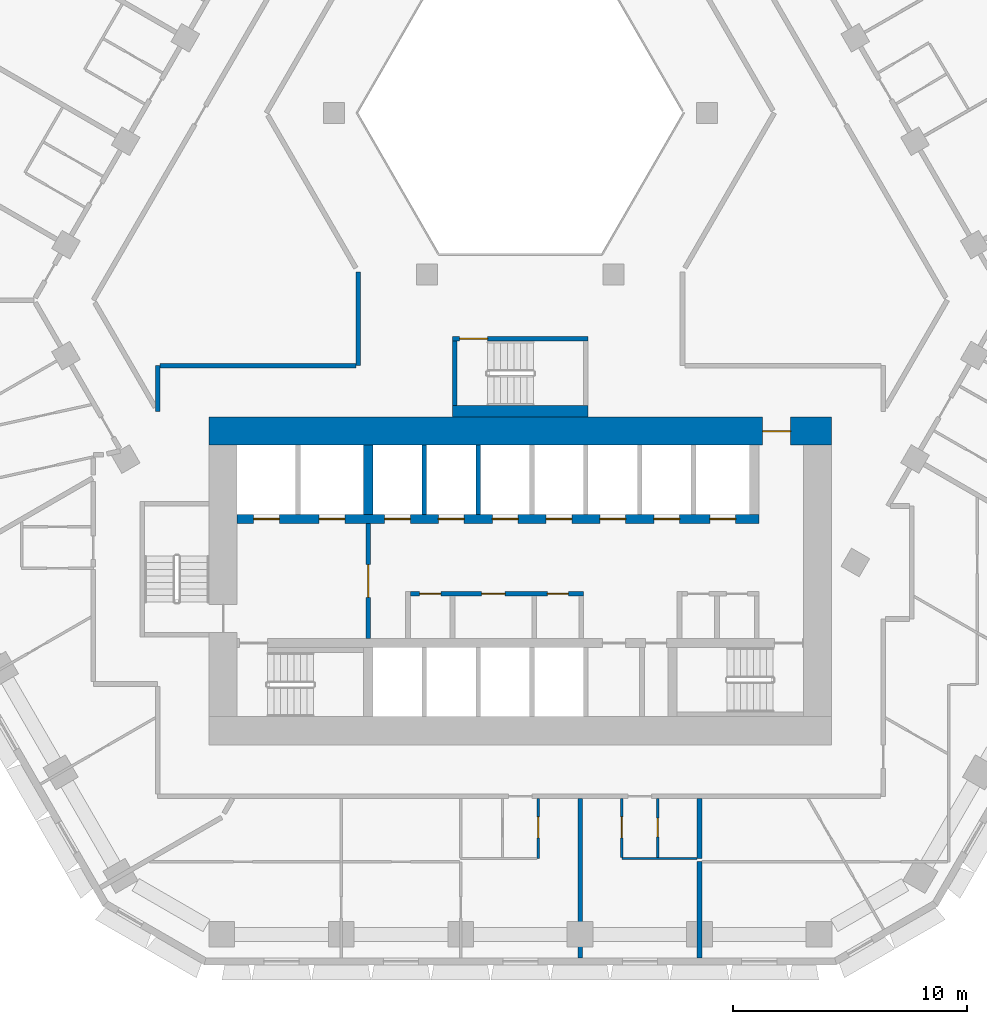
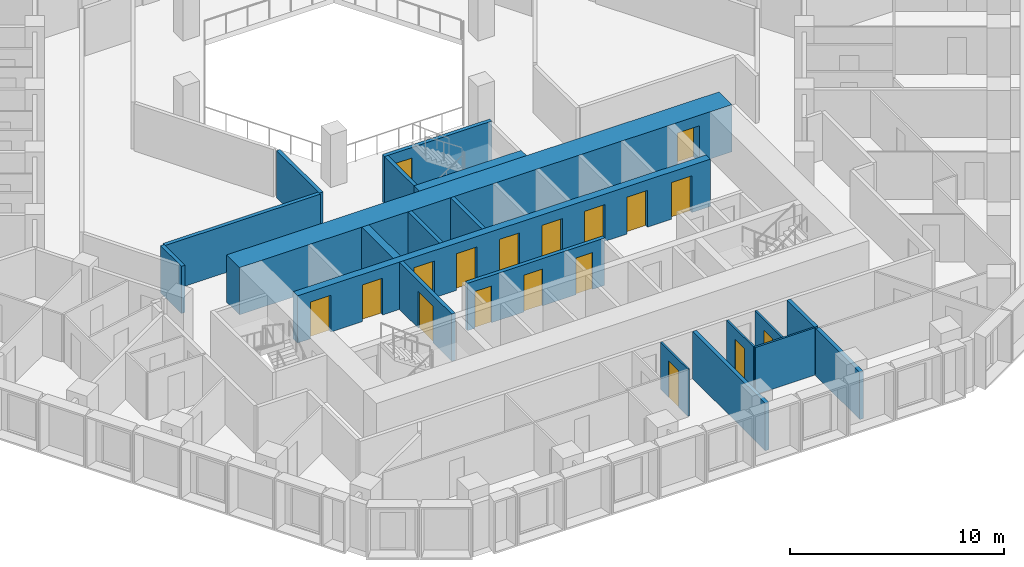
# One storey, part 5 of 16: 20 walls, 18 doors, 18 openings.
"""IFC4 building model written with IfcOpenShell, lengths in metres."""

import ifcopenshell
import ifcopenshell.guid

model = None  # the IFC model being written
_history = None  # IfcOwnerHistory: only IFC2X3 demands one
_inside = {}  # id of a spatial element -> (the spatial element, [elements in it])
_under = {}  # id of a project, library or spatial element -> (it, [spatial elements below it])
_declared = {}  # id of a project -> (the project, [libraries it declares])
_typed = {}  # id of a type object -> (the type object, [elements of that type])
_made_of = {}  # id of a material, layer set ... -> (it, [elements and type objects made of it])


def new_model(schema):
    """Start an empty IFC model of exactly this schema.

    Asked for "IFC4X3", IfcOpenShell would pick the latest addendum, in which some entities
    have other attributes; the version numbers below select the first issue.
    IFC2X3 requires an IfcOwnerHistory on every rooted entity: one is made here for all.
    """
    global model, _history
    if schema == "IFC4X3":
        model = ifcopenshell.file(schema_version=(4, 3, 0, 0))
    else:
        model = ifcopenshell.file(schema=schema)
    _inside.clear()
    _under.clear()
    _declared.clear()
    _typed.clear()
    _made_of.clear()
    _history = None
    if model.schema == "IFC2X3":
        org = make("IfcOrganization", Name="unknown")
        user = make(
            "IfcPersonAndOrganization",
            ThePerson=make("IfcPerson", FamilyName="unknown"),
            TheOrganization=org,
        )
        app = make(
            "IfcApplication",
            ApplicationDeveloper=org,
            Version="unknown",
            ApplicationFullName="unknown",
            ApplicationIdentifier="unknown",
        )
        _history = make(
            "IfcOwnerHistory",
            OwningUser=user,
            OwningApplication=app,
            ChangeAction="ADDED",
            CreationDate=0,
        )
    return model


def make(cls, **values):
    """One entity of the class cls with the attributes given. An attribute that is None is left unset."""
    return model.create_entity(
        cls, **{name: value for name, value in values.items() if value is not None}
    )


def rooted(cls, **values):
    """An entity with a GlobalId (a new one), such as an element, a storey or a relation."""
    return make(cls, GlobalId=ifcopenshell.guid.new(), OwnerHistory=_history, **values)


def si_unit(unit_type, name, prefix=None):
    """IfcSIUnit, for example si_unit("LENGTHUNIT", "METRE", prefix="MILLI")."""
    return make("IfcSIUnit", UnitType=unit_type, Prefix=prefix, Name=name)


def assignment(units):
    """IfcUnitAssignment: the units of a project."""
    return None if units is None else make("IfcUnitAssignment", Units=units)


def point(xyz):
    """IfcCartesianPoint."""
    return None if xyz is None else make("IfcCartesianPoint", Coordinates=xyz)


def direction(xyz):
    """IfcDirection."""
    return None if xyz is None else make("IfcDirection", DirectionRatios=xyz)


def frame(location, z_axis=None, x_axis=None):
    """IfcAxis2Placement3D, a coordinate frame: its origin and axes. An axis left out is left unset."""
    return make(
        "IfcAxis2Placement3D",
        Location=point(location),
        Axis=direction(z_axis),
        RefDirection=direction(x_axis),
    )


def frame_2d(location, x_axis=None):
    """IfcAxis2Placement2D, a coordinate frame in the plane: its origin and x axis."""
    return make(
        "IfcAxis2Placement2D", Location=point(location), RefDirection=direction(x_axis)
    )


def origin():
    """The frame at (0, 0, 0) with its axes left unset."""
    return frame((0.0, 0.0, 0.0))


def place(relative_to, where):
    """IfcLocalPlacement: puts the frame where relative to a parent placement (None: the world)."""
    return make(
        "IfcLocalPlacement", PlacementRelTo=relative_to, RelativePlacement=where
    )


def context(
    kind, dimensions, precision=None, world=None, true_north=None, identifier=None
):
    """IfcGeometricRepresentationContext, for example the 3D "Model" context."""
    return make(
        "IfcGeometricRepresentationContext",
        ContextIdentifier=identifier,
        ContextType=kind,
        CoordinateSpaceDimension=dimensions,
        Precision=precision,
        WorldCoordinateSystem=world,
        TrueNorth=true_north,
    )


def subcontext(parent, identifier, kind, view, scale=None):
    """IfcGeometricRepresentationSubContext, for example "Body" below "Model"."""
    return make(
        "IfcGeometricRepresentationSubContext",
        ContextIdentifier=identifier,
        ContextType=kind,
        ParentContext=parent,
        TargetScale=scale,
        TargetView=view,
    )


def project(units=None, contexts=None):
    """IfcProject with its units and contexts."""
    return rooted(
        "IfcProject",
        Name="project",
        RepresentationContexts=contexts,
        UnitsInContext=assignment(units),
    )


def spatial(cls, under=None, at=None, **own):
    """A site, building, storey or space (cls), placed at a placement, below another one or the project."""
    s = rooted(cls, ObjectPlacement=at, **own)
    if under is not None:
        _under.setdefault(under.id(), (under, []))[1].append(s)
    return s


def profile(cls, at=None, kind="AREA", **sizes):
    """A parametric profile (cls). Its sizes go by their IFC names, for example OverallWidth=200.0."""
    return make(cls, ProfileType=kind, Position=at, **sizes)


def rectangle(**sizes):
    """IfcRectangleProfileDef."""
    return profile("IfcRectangleProfileDef", **sizes)


def extrude(swept, where, along, depth):
    """IfcExtrudedAreaSolid: the profile swept, set in the frame where, extruded along a direction by depth."""
    return make(
        "IfcExtrudedAreaSolid",
        SweptArea=swept,
        Position=where,
        ExtrudedDirection=direction(along),
        Depth=depth,
    )


def shape(context_of_items, identifier, shape_type, items):
    """IfcShapeRepresentation: the items that make up one representation, for example the "Body"."""
    return make(
        "IfcShapeRepresentation",
        ContextOfItems=context_of_items,
        RepresentationIdentifier=identifier,
        RepresentationType=shape_type,
        Items=items,
    )


def material(Name=None, Category=None):
    """IfcMaterial."""
    return make("IfcMaterial", Name=Name, Category=Category)


def layer(
    of_material, thickness, ventilated=None, Name=None, Category=None, Priority=None
):
    """IfcMaterialLayer: one layer of a wall or slab, of a material (None: an air gap)."""
    return make(
        "IfcMaterialLayer",
        Material=of_material,
        LayerThickness=thickness,
        IsVentilated=ventilated,
        Name=Name,
        Category=Category,
        Priority=Priority,
    )


def layer_set(layers, Name=None):
    """IfcMaterialLayerSet."""
    return make("IfcMaterialLayerSet", MaterialLayers=layers, LayerSetName=Name)


def made_of(thing, what):
    """Note that an element or type object is made of a material, layer set ...; save() writes the relation."""
    if what is not None:
        _made_of.setdefault(what.id(), (what, []))[1].append(thing)
    return thing


def type_object(cls, material=None, **own):
    """A type object (cls), such as IfcWallType, which elements share."""
    return made_of(rooted(cls, **own), material)


def element(
    cls,
    number,
    at=None,
    inside=None,
    cuts=None,
    type_object=None,
    material=None,
    context=None,
    identifier="Body",
    shape_type=None,
    held_by="IfcProductDefinitionShape",
    body=None,
    shapes=None,
    **own,
):
    """One element of the class cls, such as IfcWall. Its Tag is "e" and its number.

    at: its placement. inside: the storey or other place that contains it. cuts: it is an
    opening in that element (IfcRelVoidsElement). A single representation is given by context,
    identifier, shape_type and body (its items); several are given by shapes. held_by: the class
    of the entity that holds the representations. save() writes the other relations.
    """
    e = rooted(cls, Tag="e%d" % number, ObjectPlacement=at, **own)
    if body is not None:
        shapes = [shape(context, identifier, shape_type, body)]
    if shapes is not None:
        e.Representation = make(held_by, Representations=shapes)
    if inside is not None:
        _inside.setdefault(inside.id(), (inside, []))[1].append(e)
    if cuts is not None:
        rooted(
            "IfcRelVoidsElement", RelatingBuildingElement=cuts, RelatedOpeningElement=e
        )
    if type_object is not None:
        _typed.setdefault(type_object.id(), (type_object, []))[1].append(e)
    return made_of(e, material)


def fill(opening, filler):
    """IfcRelFillsElement: the door or window that sits in an opening."""
    return rooted(
        "IfcRelFillsElement",
        RelatingOpeningElement=opening,
        RelatedBuildingElement=filler,
    )


def aggregate(whole, parts):
    """IfcRelAggregates: a whole, such as a stair, and the parts it consists of."""
    return rooted("IfcRelAggregates", RelatingObject=whole, RelatedObjects=parts)


def save(model, path):
    """Write the relations noted so far, then the file.

    IfcRelAggregates (storeys below a building ...), IfcRelContainedInSpatialStructure (elements
    in a storey), IfcRelDefinesByType, IfcRelAssociatesMaterial and IfcRelDeclares: one each for
    every whole, place, type object, material and project.
    """
    for whole, parts in _under.values():
        aggregate(whole, parts)
    for where, things in _inside.values():
        rooted(
            "IfcRelContainedInSpatialStructure",
            RelatedElements=things,
            RelatingStructure=where,
        )
    for kind, things in _typed.values():
        rooted("IfcRelDefinesByType", RelatedObjects=things, RelatingType=kind)
    for what, things in _made_of.values():
        rooted("IfcRelAssociatesMaterial", RelatedObjects=things, RelatingMaterial=what)
    for by, libraries in _declared.values():
        rooted("IfcRelDeclares", RelatingContext=by, RelatedDefinitions=libraries)
    model.write(path)


model = new_model("IFC4")

# Units and contexts
model_context = context("Model", 3, precision=1e-05, world=origin(), true_north=direction((0.0, 1.0)))
body_context = subcontext(model_context, "Body", "Model", "MODEL_VIEW")
ifc_project = project(units=[si_unit("LENGTHUNIT", "METRE"), si_unit("AREAUNIT", "SQUARE_METRE"), si_unit("VOLUMEUNIT", "CUBIC_METRE"), si_unit("PLANEANGLEUNIT", "RADIAN"), si_unit("MASSUNIT", "GRAM", prefix="KILO")], contexts=[model_context])

# Site, building, storey
site_placement = place(None, origin())
site = spatial("IfcSite", under=ifc_project, at=site_placement, CompositionType="ELEMENT")
building_placement = place(site_placement, origin())
building = spatial("IfcBuilding", under=site, at=building_placement, Name="Beryl Residences", CompositionType="ELEMENT")
storey_placement = place(building_placement, frame((0.0, 0.0, 32.39990234375)))
storey = spatial("IfcBuildingStorey", under=building, at=storey_placement, Name="L09", CompositionType="ELEMENT", Elevation=32.39990234375)

# Wall, opening, door
ifc_material_1 = material(Name="Gypsum board partition on steel studs", Category="steel")
ifc_layer_1 = layer(ifc_material_1, 0.10009765625)
ifc_layer_set_1 = layer_set([ifc_layer_1], Name="PT1 partition 100 mm gypsum board on steel studs")
wall_type_1 = type_object("IfcWallType", Name="PT1 partition 100 mm gypsum board on steel studs", PredefinedType="PARTITIONING", material=ifc_layer_set_1)
wall_1_placement = place(storey_placement, frame((4.339111328125, -21.300048828125, 0.0), z_axis=(0.0, 0.0, 1.0), x_axis=(0.0, -1.0, 0.0)))
wall_1 = element("IfcWall", 1, at=wall_1_placement, inside=storey, type_object=wall_type_1, Name="Wall PT1 L09 012", PredefinedType="PARTITIONING", context=body_context, shape_type="SweptSolid", body=[
    extrude(rectangle(XDim=2.509033203125, YDim=0.10009765625, at=frame_2d((1.25439453125, 0.0))), origin(), (0.0, 0.0, 1.0), 2.7001953125),
])
opening_1_placement = place(wall_1_placement, frame((0.780029296875, 0.0, 0.0)))
opening_1 = element("IfcOpeningElement", 2, at=opening_1_placement, cuts=wall_1, Name="Opening D0432", PredefinedType="OPENING", context=body_context, shape_type="SweptSolid", body=[
    extrude(rectangle(XDim=0.89990234375, YDim=2.10009765625, at=frame_2d((0.449951171875, 1.050048828125))), frame((0.0, 0.06005859375, 0.0), z_axis=(0.0, -1.0, 0.0), x_axis=(1.0, 0.0, 0.0)), (0.0, 0.0, 1.0), 0.1201171875),
])
ifc_material_2 = material(Name="Timber door leaf", Category="wood")
door_type_1 = type_object("IfcDoorType", Name="D2 room door 900 x 2100 mm", OperationType="SINGLE_SWING_LEFT", PredefinedType="DOOR", material=ifc_material_2)
door_1_placement = place(opening_1_placement, origin())
door_1 = element("IfcDoor", 3, at=door_1_placement, inside=storey, type_object=door_type_1, Name="Door D0432 L09 001", OperationType="SINGLE_SWING_RIGHT", OverallHeight=2.10009765625, OverallWidth=0.89990234375, PredefinedType="DOOR", context=body_context, shape_type="SweptSolid", body=[
    extrude(rectangle(XDim=0.89990234375, YDim=2.10009765625, at=frame_2d((0.449951171875, 1.050048828125))), frame((0.0, 0.02490234375, 0.0), z_axis=(0.0, -1.0, 0.0), x_axis=(1.0, 0.0, 0.0)), (0.0, 0.0, 1.0), 0.050048828125),
])
fill(opening_1, door_1)

# Wall
wall_2_placement = place(storey_placement, frame((4.340087890625, -23.860107421875, 0.0), z_axis=(0.0, 0.0, 1.0), x_axis=(1.0, 0.0, 0.0)))
element("IfcWall", 4, at=wall_2_placement, inside=storey, type_object=wall_type_1, Name="Wall PT1 L09 031", PredefinedType="PARTITIONING", context=body_context, shape_type="SweptSolid", body=[
    extrude(rectangle(XDim=3.216796875, YDim=0.10009765625, at=frame_2d((1.6083984375, 0.0))), origin(), (0.0, 0.0, 1.0), 2.7001953125),
])

# Wall, opening, door
wall_3_placement = place(storey_placement, frame((5.87109375, -23.81005859375, 0.0), z_axis=(0.0, 0.0, 1.0), x_axis=(0.0, 1.0, 0.0)))
wall_3 = element("IfcWall", 5, at=wall_3_placement, inside=storey, type_object=wall_type_1, Name="Wall PT1 L09 044", PredefinedType="PARTITIONING", context=body_context, shape_type="SweptSolid", body=[
    extrude(rectangle(XDim=2.510009765625, YDim=0.10009765625, at=frame_2d((1.2548828125, 0.0))), origin(), (0.0, 0.0, 1.0), 2.7001953125),
])
opening_2_placement = place(wall_3_placement, frame((0.8798828125, 0.0, 0.0)))
opening_2 = element("IfcOpeningElement", 6, at=opening_2_placement, cuts=wall_3, Name="Opening D0433", PredefinedType="OPENING", context=body_context, shape_type="SweptSolid", body=[
    extrude(rectangle(XDim=0.800048828125, YDim=2.10009765625, at=frame_2d((0.39990234375, 1.050048828125))), frame((0.0, 0.06005859375, 0.0), z_axis=(0.0, -1.0, 0.0), x_axis=(1.0, 0.0, 0.0)), (0.0, 0.0, 1.0), 0.1201171875),
])
ifc_material_3 = material(Name="Timber door leaf", Category="wood")
door_type_2 = type_object("IfcDoorType", Name="D3 bathroom door 800 x 2100 mm", OperationType="SINGLE_SWING_LEFT", PredefinedType="DOOR", material=ifc_material_3)
door_2_placement = place(opening_2_placement, origin())
door_2 = element("IfcDoor", 7, at=door_2_placement, inside=storey, type_object=door_type_2, Name="Door D0433 L09 001", OperationType="SINGLE_SWING_LEFT", OverallHeight=2.10009765625, OverallWidth=0.800048828125, PredefinedType="DOOR", context=body_context, shape_type="SweptSolid", body=[
    extrude(rectangle(XDim=0.800048828125, YDim=2.10009765625, at=frame_2d((0.39990234375, 1.050048828125))), frame((0.0, 0.02490234375, 0.0), z_axis=(0.0, -1.0, 0.0), x_axis=(1.0, 0.0, 0.0)), (0.0, 0.0, 1.0), 0.050048828125),
])
fill(opening_2, door_2)

wall_4_placement = place(storey_placement, frame((0.76708984375, -23.85888671875, 0.0), z_axis=(0.0, 0.0, 1.0), x_axis=(0.0, 1.0, 0.0)))
wall_4 = element("IfcWall", 8, at=wall_4_placement, inside=storey, type_object=wall_type_1, Name="Wall PT1 L09 045", PredefinedType="PARTITIONING", context=body_context, shape_type="SweptSolid", body=[
    extrude(rectangle(XDim=2.558837890625, YDim=0.10009765625, at=frame_2d((1.279296875, 0.0))), origin(), (0.0, 0.0, 1.0), 2.7001953125),
])
opening_3_placement = place(wall_4_placement, frame((0.87890625, 0.0, 0.0)))
opening_3 = element("IfcOpeningElement", 9, at=opening_3_placement, cuts=wall_4, Name="Opening D0425", PredefinedType="OPENING", context=body_context, shape_type="SweptSolid", body=[
    extrude(rectangle(XDim=0.89990234375, YDim=2.10009765625, at=frame_2d((0.449951171875, 1.050048828125))), frame((0.0, 0.06005859375, 0.0), z_axis=(0.0, -1.0, 0.0), x_axis=(1.0, 0.0, 0.0)), (0.0, 0.0, 1.0), 0.1201171875),
])
door_3_placement = place(opening_3_placement, origin())
door_3 = element("IfcDoor", 10, at=door_3_placement, inside=storey, type_object=door_type_1, Name="Door D0425 L09 001", OperationType="SINGLE_SWING_LEFT", OverallHeight=2.10009765625, OverallWidth=0.89990234375, PredefinedType="DOOR", context=body_context, shape_type="SweptSolid", body=[
    extrude(rectangle(XDim=0.89990234375, YDim=2.10009765625, at=frame_2d((0.449951171875, 1.050048828125))), frame((0.0, 0.02490234375, 0.0), z_axis=(0.0, -1.0, 0.0), x_axis=(1.0, 0.0, 0.0)), (0.0, 0.0, 1.0), 0.050048828125),
])
fill(opening_3, door_3)

ifc_material_4 = material(Name="Concrete masonry", Category="masonry")
ifc_layer_2 = layer(ifc_material_4, 0.199951171875)
ifc_layer_set_2 = layer_set([ifc_layer_2], Name="PT13 lobby wall 200 mm")
wall_type_2 = type_object("IfcWallType", Name="PT13 lobby wall 200 mm", PredefinedType="PARTITIONING", material=ifc_layer_set_2)
wall_5_placement = place(storey_placement, frame((-6.5, -14.449951171875, 0.0), z_axis=(0.0, 0.0, 1.0), x_axis=(0.0, 1.0, 0.0)))
wall_5 = element("IfcWall", 11, at=wall_5_placement, inside=storey, type_object=wall_type_2, Name="Lobby wall 06", PredefinedType="PARTITIONING", context=body_context, shape_type="SweptSolid", body=[
    extrude(rectangle(XDim=4.89990234375, YDim=0.199951171875, at=frame_2d((2.449951171875, 0.0))), origin(), (0.0, 0.0, 1.0), 2.7001953125),
])
opening_4_placement = place(wall_5_placement, frame((3.14990234375, 0.0, 0.0), z_axis=(0.0, 0.0, 1.0), x_axis=(-1.0, 0.0, 0.0)))
opening_4 = element("IfcOpeningElement", 12, at=opening_4_placement, cuts=wall_5, Name="Opening FD-FFL", PredefinedType="OPENING", context=body_context, shape_type="SweptSolid", body=[
    extrude(rectangle(XDim=1.39990234375, YDim=2.10009765625, at=frame_2d((0.699951171875, 1.050048828125))), frame((0.0, 0.10986328125, 0.0), z_axis=(0.0, -1.0, 0.0), x_axis=(1.0, 0.0, 0.0)), (0.0, 0.0, 1.0), 0.219970703125),
])
ifc_material_5 = material(Name="Steel door leaf in steel frame", Category="steel")
door_type_3 = type_object("IfcDoorType", Name="D5 lobby door 1400 x 2100 mm", OperationType="DOUBLE_DOOR_SINGLE_SWING", PredefinedType="DOOR", material=ifc_material_5)
door_4_placement = place(opening_4_placement, origin())
door_4 = element("IfcDoor", 13, at=door_4_placement, inside=storey, type_object=door_type_3, Name="Door FD-FFL L09 001", OperationType="DOUBLE_DOOR_SINGLE_SWING", OverallHeight=2.10009765625, OverallWidth=1.39990234375, PredefinedType="DOOR", context=body_context, shape_type="SweptSolid", body=[
    extrude(rectangle(XDim=1.39990234375, YDim=2.10009765625, at=frame_2d((0.699951171875, 1.050048828125))), frame((0.0, 0.02490234375, 0.0), z_axis=(0.0, -1.0, 0.0), x_axis=(1.0, 0.0, 0.0)), (0.0, 0.0, 1.0), 0.050048828125),
])
fill(opening_4, door_4)

# Wall, openings, doors
wall_6_placement = place(storey_placement, frame((-4.699951171875, -12.550048828125, 0.0), z_axis=(0.0, 0.0, 1.0), x_axis=(1.0, 0.0, 0.0)))
wall_6 = element("IfcWall", 14, at=wall_6_placement, inside=storey, type_object=wall_type_2, Name="Lobby wall 08", PredefinedType="PARTITIONING", context=body_context, shape_type="SweptSolid", body=[
    extrude(rectangle(XDim=7.39990234375, YDim=0.199951171875, at=frame_2d((3.699951171875, 0.0))), origin(), (0.0, 0.0, 1.0), 2.7001953125),
])
opening_5_placement = place(wall_6_placement, frame((1.2998046875, 0.0, 0.0), z_axis=(0.0, 0.0, 1.0), x_axis=(-1.0, 0.0, 0.0)))
opening_5 = element("IfcOpeningElement", 15, at=opening_5_placement, cuts=wall_6, Name="Opening CD-D-A1-900", PredefinedType="OPENING", context=body_context, shape_type="SweptSolid", body=[
    extrude(rectangle(XDim=0.89990234375, YDim=2.10009765625, at=frame_2d((0.449951171875, 1.050048828125))), frame((0.0, 0.10986328125, 0.0), z_axis=(0.0, -1.0, 0.0), x_axis=(1.0, 0.0, 0.0)), (0.0, 0.0, 1.0), 0.219970703125),
])
opening_6_placement = place(wall_6_placement, frame((4.050048828125, 0.0, 0.0), z_axis=(0.0, 0.0, 1.0), x_axis=(-1.0, 0.0, 0.0)))
opening_6 = element("IfcOpeningElement", 16, at=opening_6_placement, cuts=wall_6, Name="Opening CD-D-A2", PredefinedType="OPENING", context=body_context, shape_type="SweptSolid", body=[
    extrude(rectangle(XDim=1.0, YDim=2.10009765625, at=frame_2d((0.5, 1.050048828125))), frame((0.0, 0.10986328125, 0.0), z_axis=(0.0, -1.0, 0.0), x_axis=(1.0, 0.0, 0.0)), (0.0, 0.0, 1.0), 0.219970703125),
])
opening_7_placement = place(wall_6_placement, frame((6.75, 0.0, 0.0), z_axis=(0.0, 0.0, 1.0), x_axis=(-1.0, 0.0, 0.0)))
opening_7 = element("IfcOpeningElement", 17, at=opening_7_placement, cuts=wall_6, Name="Opening CD-D-A3-900", PredefinedType="OPENING", context=body_context, shape_type="SweptSolid", body=[
    extrude(rectangle(XDim=0.89990234375, YDim=2.10009765625, at=frame_2d((0.449951171875, 1.050048828125))), frame((0.0, 0.10986328125, 0.0), z_axis=(0.0, -1.0, 0.0), x_axis=(1.0, 0.0, 0.0)), (0.0, 0.0, 1.0), 0.219970703125),
])
ifc_material_6 = material(Name="Steel door leaf in steel frame", Category="steel")
door_type_4 = type_object("IfcDoorType", Name="D18 service room door 1000 x 2100 mm", OperationType="SINGLE_SWING_LEFT", PredefinedType="DOOR", material=ifc_material_6)
door_5_placement = place(opening_6_placement, origin())
door_5 = element("IfcDoor", 18, at=door_5_placement, inside=storey, type_object=door_type_4, Name="Door CD-D-A2 L09 001", OperationType="SINGLE_SWING_LEFT", OverallHeight=2.10009765625, OverallWidth=1.0, PredefinedType="DOOR", context=body_context, shape_type="SweptSolid", body=[
    extrude(rectangle(XDim=1.0, YDim=2.10009765625, at=frame_2d((0.5, 1.050048828125))), frame((0.0, 0.02490234375, 0.0), z_axis=(0.0, -1.0, 0.0), x_axis=(1.0, 0.0, 0.0)), (0.0, 0.0, 1.0), 0.050048828125),
])
fill(opening_6, door_5)
ifc_material_7 = material(Name="Steel door leaf in steel frame", Category="steel")
door_type_5 = type_object("IfcDoorType", Name="D6 service room door 900 x 2100 mm", OperationType="SINGLE_SWING_LEFT", PredefinedType="DOOR", material=ifc_material_7)
door_6_placement = place(opening_5_placement, origin())
door_6 = element("IfcDoor", 19, at=door_6_placement, inside=storey, type_object=door_type_5, Name="Door CD-D-A1-900 L09 001", OperationType="SINGLE_SWING_RIGHT", OverallHeight=2.10009765625, OverallWidth=0.89990234375, PredefinedType="DOOR", context=body_context, shape_type="SweptSolid", body=[
    extrude(rectangle(XDim=0.89990234375, YDim=2.10009765625, at=frame_2d((0.449951171875, 1.050048828125))), frame((0.0, 0.02490234375, 0.0), z_axis=(0.0, -1.0, 0.0), x_axis=(1.0, 0.0, 0.0)), (0.0, 0.0, 1.0), 0.050048828125),
])
fill(opening_5, door_6)
door_7_placement = place(opening_7_placement, origin())
door_7 = element("IfcDoor", 20, at=door_7_placement, inside=storey, type_object=door_type_5, Name="Door CD-D-A3-900 L09 001", OperationType="SINGLE_SWING_RIGHT", OverallHeight=2.10009765625, OverallWidth=0.89990234375, PredefinedType="DOOR", context=body_context, shape_type="SweptSolid", body=[
    extrude(rectangle(XDim=0.89990234375, YDim=2.10009765625, at=frame_2d((0.449951171875, 1.050048828125))), frame((0.0, 0.02490234375, 0.0), z_axis=(0.0, -1.0, 0.0), x_axis=(1.0, 0.0, 0.0)), (0.0, 0.0, 1.0), 0.050048828125),
])
fill(opening_7, door_7)

# Walls
ifc_material_8 = material(Name="Acoustic double stud gypsum board wall")
ifc_layer_3 = layer(ifc_material_8, 0.199951171875)
ifc_layer_set_3 = layer_set([ifc_layer_3], Name="PT3 party wall 200 mm acoustic double stud")
wall_type_3 = type_object("IfcWallType", Name="PT3 party wall 200 mm acoustic double stud", PredefinedType="PARTITIONING", material=ifc_layer_set_3)
wall_7_placement = place(storey_placement, frame((2.552978515625, -21.300048828125, 0.0), z_axis=(0.0, 0.0, 1.0), x_axis=(0.0, -1.0, 0.0)))
element("IfcWall", 21, at=wall_7_placement, inside=storey, type_object=wall_type_3, Name="Wall PT3 L09 004", PredefinedType="PARTITIONING", context=body_context, shape_type="SweptSolid", body=[
    extrude(rectangle(XDim=6.800048828125, YDim=0.199951171875, at=frame_2d((3.39990234375, 0.0))), origin(), (0.0, 0.0, 1.0), 2.7001953125),
])
wall_8_placement = place(storey_placement, frame((7.656982421875, -28.10009765625, 0.0), z_axis=(0.0, 0.0, 1.0), x_axis=(0.0, 1.0, 0.0)))
element("IfcWall", 22, at=wall_8_placement, inside=storey, type_object=wall_type_3, Name="Wall PT3 L09 015", PredefinedType="PARTITIONING", context=body_context, shape_type="SweptSolid", body=[
    extrude(rectangle(XDim=4.1201171875, YDim=0.199951171875, at=frame_2d((2.06005859375, 0.0))), origin(), (0.0, 0.0, 1.0), 2.7001953125),
])
wall_9_placement = place(storey_placement, frame((7.656982421875, -23.860107421875, 0.0), z_axis=(0.0, 0.0, 1.0), x_axis=(0.0, 1.0, 0.0)))
element("IfcWall", 23, at=wall_9_placement, inside=storey, type_object=wall_type_3, Name="Wall PT3 L09 016", PredefinedType="PARTITIONING", context=body_context, shape_type="SweptSolid", body=[
    extrude(rectangle(XDim=2.56005859375, YDim=0.199951171875, at=frame_2d((1.280029296875, 0.0))), origin(), (0.0, 0.0, 1.0), 2.7001953125),
])
ifc_material_9 = material(Name="Double stud gypsum board wall")
ifc_layer_4 = layer(ifc_material_9, 0.199951171875)
ifc_layer_set_4 = layer_set([ifc_layer_4], Name="PT4 corridor wall 200 mm double stud")
wall_type_4 = type_object("IfcWallType", Name="PT4 corridor wall 200 mm double stud", PredefinedType="PARTITIONING", material=ifc_layer_set_4)
wall_10_placement = place(storey_placement, frame((-15.39990234375, -2.800048828125, 0.0), z_axis=(0.0, 0.0, 1.0), x_axis=(1.0, 0.0, 0.0)))
element("IfcWall", 24, at=wall_10_placement, inside=storey, type_object=wall_type_4, Name="Wall PT4 L09 014", PredefinedType="PARTITIONING", context=body_context, shape_type="SweptSolid", body=[
    extrude(rectangle(XDim=8.371826171875, YDim=0.199951171875, at=frame_2d((4.18603515625, 0.0))), origin(), (0.0, 0.0, 1.0), 2.7001953125),
])
wall_11_placement = place(storey_placement, frame((-6.927978515625, -2.800048828125, 0.0), z_axis=(0.0, 0.0, 1.0), x_axis=(0.0, 1.0, 0.0)))
element("IfcWall", 25, at=wall_11_placement, inside=storey, type_object=wall_type_4, Name="Wall PT4 L09 029", PredefinedType="PARTITIONING", context=body_context, shape_type="SweptSolid", body=[
    extrude(rectangle(XDim=4.0, YDim=0.199951171875, at=frame_2d((2.0, 0.0))), origin(), (0.0, 0.0, 1.0), 2.7001953125),
])
wall_12_placement = place(storey_placement, frame((-15.5, -4.75390625, 0.0), z_axis=(0.0, 0.0, 1.0), x_axis=(0.0, 1.0, 0.0)))
element("IfcWall", 26, at=wall_12_placement, inside=storey, type_object=wall_type_4, Name="Wall PT4 L09 030", PredefinedType="PARTITIONING", context=body_context, shape_type="SweptSolid", body=[
    extrude(rectangle(XDim=1.953857421875, YDim=0.199951171875, at=frame_2d((0.97705078125, 0.0))), origin(), (0.0, 0.0, 1.0), 2.7001953125),
])

# Wall, opening, door
ifc_material_10 = material(Name="Concrete C40/50", Category="concrete")
ifc_layer_5 = layer(ifc_material_10, 0.199951171875)
ifc_layer_set_5 = layer_set([ifc_layer_5], Name="PT5 stair enclosure wall 200 mm reinforced concrete C40/50")
wall_type_5 = type_object("IfcWallType", Name="PT5 stair enclosure wall 200 mm reinforced concrete C40/50", PredefinedType="SOLIDWALL", material=ifc_layer_set_5)
wall_13_placement = place(storey_placement, frame((-2.89990234375, -1.64990234375, 0.0), z_axis=(0.0, 0.0, 1.0), x_axis=(1.0, 0.0, 0.0)))
wall_13 = element("IfcWall", 27, at=wall_13_placement, inside=storey, type_object=wall_type_5, Name="Wall PT5 L09 001", PredefinedType="SOLIDWALL", context=body_context, shape_type="SweptSolid", body=[
    extrude(rectangle(XDim=5.7998046875, YDim=0.199951171875, at=frame_2d((2.89990234375, 0.0))), origin(), (0.0, 0.0, 1.0), 2.7001953125),
])
opening_8_placement = place(wall_13_placement, frame((0.300048828125, 0.0, 0.0)))
opening_8 = element("IfcOpeningElement", 28, at=opening_8_placement, cuts=wall_13, Name="Opening DS04", PredefinedType="OPENING", context=body_context, shape_type="SweptSolid", body=[
    extrude(rectangle(XDim=1.199951171875, YDim=2.10009765625, at=frame_2d((0.60009765625, 1.050048828125))), frame((0.0, 0.10986328125, 0.0), z_axis=(0.0, -1.0, 0.0), x_axis=(1.0, 0.0, 0.0)), (0.0, 0.0, 1.0), 0.219970703125),
])
ifc_material_11 = material(Name="Steel door leaf in steel frame", Category="steel")
door_type_6 = type_object("IfcDoorType", Name="D4 stair door 1200 x 2100 mm", OperationType="SINGLE_SWING_LEFT", PredefinedType="DOOR", material=ifc_material_11)
door_8_placement = place(opening_8_placement, origin())
door_8 = element("IfcDoor", 29, at=door_8_placement, inside=storey, type_object=door_type_6, Name="Door DS04 L09 001", OperationType="SINGLE_SWING_LEFT", OverallHeight=2.10009765625, OverallWidth=1.199951171875, PredefinedType="DOOR", context=body_context, shape_type="SweptSolid", body=[
    extrude(rectangle(XDim=1.199951171875, YDim=2.10009765625, at=frame_2d((0.60009765625, 1.050048828125))), frame((0.0, 0.02490234375, 0.0), z_axis=(0.0, -1.0, 0.0), x_axis=(1.0, 0.0, 0.0)), (0.0, 0.0, 1.0), 0.050048828125),
])
fill(opening_8, door_8)

# Walls
wall_14_placement = place(storey_placement, frame((-2.800048828125, -4.5, 0.0), z_axis=(0.0, 0.0, 1.0), x_axis=(0.0, 1.0, 0.0)))
element("IfcWall", 30, at=wall_14_placement, inside=storey, type_object=wall_type_5, Name="Wall PT5 L09 002", PredefinedType="SOLIDWALL", context=body_context, shape_type="SweptSolid", body=[
    extrude(rectangle(XDim=2.75, YDim=0.199951171875, at=frame_2d((1.375, 0.0))), origin(), (0.0, 0.0, 1.0), 2.7001953125),
])
ifc_material_12 = material(Name="Concrete C40/50", Category="concrete")
ifc_layer_6 = layer(ifc_material_12, 0.5)
ifc_layer_set_6 = layer_set([ifc_layer_6], Name="PT5-500 stair enclosure wall 500 mm")
wall_type_6 = type_object("IfcWallType", Name="PT5-500 stair enclosure wall 500 mm", PredefinedType="SOLIDWALL", material=ifc_layer_set_6)
wall_15_placement = place(storey_placement, frame((-2.89990234375, -4.75, 0.0), z_axis=(0.0, 0.0, 1.0), x_axis=(1.0, 0.0, 0.0)))
element("IfcWall", 31, at=wall_15_placement, inside=storey, type_object=wall_type_6, Name="Wall PT5-500 L09 001", PredefinedType="SOLIDWALL", context=body_context, shape_type="SweptSolid", body=[
    extrude(rectangle(XDim=5.7998046875, YDim=0.5, at=frame_2d((2.89990234375, 0.0))), origin(), (0.0, 0.0, 1.0), 2.7001953125),
])
ifc_material_13 = material(Name="Concrete C40/50", Category="concrete")
ifc_layer_7 = layer(ifc_material_13, 0.199951171875)
ifc_layer_set_7 = layer_set([ifc_layer_7], Name="PT6 lift shaft wall 200 mm reinforced concrete C40/50")
wall_type_7 = type_object("IfcWallType", Name="PT6 lift shaft wall 200 mm reinforced concrete C40/50", PredefinedType="SOLIDWALL", material=ifc_layer_set_7)
for number, where, z_axis, x_axis, name in (
    (32, (-4.10009765625, -9.14990234375, 0.0), (0.0, 0.0, 1.0), (0.0, 1.0, 0.0), "Lift shaft wall 10"),
    (33, (-1.800048828125, -9.14990234375, 0.0), (0.0, 0.0, 1.0), (0.0, 1.0, 0.0), "Lift shaft wall 13"),
):
    element("IfcWall", number, at=place(storey_placement, frame(where, z_axis=z_axis, x_axis=x_axis)), inside=storey, type_object=wall_type_7, Name=name, PredefinedType="SOLIDWALL", context=body_context, shape_type="SweptSolid", body=[
        extrude(rectangle(XDim=2.949951171875, YDim=0.199951171875, at=frame_2d((1.47509765625, 0.0))), origin(), (0.0, 0.0, 1.0), 2.7001953125),
    ])

# Wall, opening, door
ifc_material_14 = material(Name="Concrete C80/95", Category="concrete")
ifc_layer_8 = layer(ifc_material_14, 1.199951171875)
ifc_layer_set_8 = layer_set([ifc_layer_8], Name="SW1 core outer wall 1200 mm C80/95")
wall_type_8 = type_object("IfcWallType", Name="SW1 core outer wall 1200 mm C80/95", PredefinedType="SHEAR", material=ifc_layer_set_8)
wall_16_placement = place(storey_placement, frame((-13.300048828125, -5.60009765625, 0.0), z_axis=(0.0, 0.0, 1.0), x_axis=(1.0, 0.0, 0.0)))
wall_16 = element("IfcWall", 34, at=wall_16_placement, inside=storey, type_object=wall_type_8, Name="Core wall N L09", PredefinedType="SHEAR", context=body_context, shape_type="SweptSolid", body=[
    extrude(rectangle(XDim=26.60009765625, YDim=1.199951171875, at=frame_2d((13.300048828125, 0.0))), origin(), (0.0, 0.0, 1.0), 2.7001953125),
])
opening_9_placement = place(wall_16_placement, frame((23.64990234375, 0.0, 0.0)))
opening_9 = element("IfcOpeningElement", 35, at=opening_9_placement, cuts=wall_16, Name="Opening FD-NORTH", PredefinedType="OPENING", context=body_context, shape_type="SweptSolid", body=[
    extrude(rectangle(XDim=1.199951171875, YDim=2.10009765625, at=frame_2d((0.60009765625, 1.050048828125))), frame((0.0, 0.60986328125, 0.0), z_axis=(0.0, -1.0, 0.0), x_axis=(1.0, 0.0, 0.0)), (0.0, 0.0, 1.0), 1.219970703125),
])
ifc_material_15 = material(Name="Steel door leaf in steel frame", Category="steel")
door_type_7 = type_object("IfcDoorType", Name="D22 lobby door 1200 x 2100 mm", OperationType="DOUBLE_DOOR_SINGLE_SWING", PredefinedType="DOOR", material=ifc_material_15)
door_9_placement = place(opening_9_placement, origin())
door_9 = element("IfcDoor", 36, at=door_9_placement, inside=storey, type_object=door_type_7, Name="Door FD-NORTH L09 001", OperationType="DOUBLE_DOOR_SINGLE_SWING", OverallHeight=2.10009765625, OverallWidth=1.199951171875, PredefinedType="DOOR", context=body_context, shape_type="SweptSolid", body=[
    extrude(rectangle(XDim=1.199951171875, YDim=2.10009765625, at=frame_2d((0.60009765625, 1.050048828125))), frame((0.0, 0.02490234375, 0.0), z_axis=(0.0, -1.0, 0.0), x_axis=(1.0, 0.0, 0.0)), (0.0, 0.0, 1.0), 0.050048828125),
])
fill(opening_9, door_9)

# Wall, openings, doors
ifc_material_16 = material(Name="Concrete C80/95", Category="concrete")
ifc_layer_9 = layer(ifc_material_16, 0.39990234375)
ifc_layer_set_9 = layer_set([ifc_layer_9], Name="SW6 core internal wall 400 mm C80/95")
wall_type_9 = type_object("IfcWallType", Name="SW6 core internal wall 400 mm C80/95", PredefinedType="SHEAR", material=ifc_layer_set_9)
wall_17_placement = place(storey_placement, frame((-12.10009765625, -9.35009765625, 0.0), z_axis=(0.0, 0.0, 1.0), x_axis=(1.0, 0.0, 0.0)))
wall_17 = element("IfcWall", 37, at=wall_17_placement, inside=storey, type_object=wall_type_9, Name="Core wall SP2 L09", PredefinedType="SHEAR", context=body_context, shape_type="SweptSolid", body=[
    extrude(rectangle(XDim=22.300048828125, YDim=0.39990234375, at=frame_2d((11.14990234375, 0.0))), origin(), (0.0, 0.0, 1.0), 2.7001953125),
])
opening_10_placement = place(wall_17_placement, frame((0.699951171875, 0.0, 0.0)))
opening_10 = element("IfcOpeningElement", 38, at=opening_10_placement, cuts=wall_17, Name="Opening LD-FF1", PredefinedType="OPENING", context=body_context, shape_type="SweptSolid", body=[
    extrude(rectangle(XDim=1.10009765625, YDim=2.10009765625, at=frame_2d((0.550048828125, 1.050048828125))), frame((0.0, 0.2099609375, 0.0), z_axis=(0.0, -1.0, 0.0), x_axis=(1.0, 0.0, 0.0)), (0.0, 0.0, 1.0), 0.419921875),
])
opening_11_placement = place(wall_17_placement, frame((3.5, 0.0, 0.0)))
opening_11 = element("IfcOpeningElement", 39, at=opening_11_placement, cuts=wall_17, Name="Opening LD-FF2", PredefinedType="OPENING", context=body_context, shape_type="SweptSolid", body=[
    extrude(rectangle(XDim=1.10009765625, YDim=2.10009765625, at=frame_2d((0.550048828125, 1.050048828125))), frame((0.0, 0.2099609375, 0.0), z_axis=(0.0, -1.0, 0.0), x_axis=(1.0, 0.0, 0.0)), (0.0, 0.0, 1.0), 0.419921875),
])
opening_12_placement = place(wall_17_placement, frame((6.300048828125, 0.0, 0.0)))
opening_12 = element("IfcOpeningElement", 40, at=opening_12_placement, cuts=wall_17, Name="Opening LD-LR1", PredefinedType="OPENING", context=body_context, shape_type="SweptSolid", body=[
    extrude(rectangle(XDim=1.10009765625, YDim=2.10009765625, at=frame_2d((0.550048828125, 1.050048828125))), frame((0.0, 0.2099609375, 0.0), z_axis=(0.0, -1.0, 0.0), x_axis=(1.0, 0.0, 0.0)), (0.0, 0.0, 1.0), 0.419921875),
])
opening_13_placement = place(wall_17_placement, frame((8.60009765625, 0.0, 0.0)))
opening_13 = element("IfcOpeningElement", 41, at=opening_13_placement, cuts=wall_17, Name="Opening LD-LR2", PredefinedType="OPENING", context=body_context, shape_type="SweptSolid", body=[
    extrude(rectangle(XDim=1.10009765625, YDim=2.10009765625, at=frame_2d((0.550048828125, 1.050048828125))), frame((0.0, 0.2099609375, 0.0), z_axis=(0.0, -1.0, 0.0), x_axis=(1.0, 0.0, 0.0)), (0.0, 0.0, 1.0), 0.419921875),
])
opening_14_placement = place(wall_17_placement, frame((10.89990234375, 0.0, 0.0)))
opening_14 = element("IfcOpeningElement", 42, at=opening_14_placement, cuts=wall_17, Name="Opening LD-LR3", PredefinedType="OPENING", context=body_context, shape_type="SweptSolid", body=[
    extrude(rectangle(XDim=1.10009765625, YDim=2.10009765625, at=frame_2d((0.550048828125, 1.050048828125))), frame((0.0, 0.2099609375, 0.0), z_axis=(0.0, -1.0, 0.0), x_axis=(1.0, 0.0, 0.0)), (0.0, 0.0, 1.0), 0.419921875),
])
opening_15_placement = place(wall_17_placement, frame((13.199951171875, 0.0, 0.0)))
opening_15 = element("IfcOpeningElement", 43, at=opening_15_placement, cuts=wall_17, Name="Opening LD-LR4", PredefinedType="OPENING", context=body_context, shape_type="SweptSolid", body=[
    extrude(rectangle(XDim=1.10009765625, YDim=2.10009765625, at=frame_2d((0.550048828125, 1.050048828125))), frame((0.0, 0.2099609375, 0.0), z_axis=(0.0, -1.0, 0.0), x_axis=(1.0, 0.0, 0.0)), (0.0, 0.0, 1.0), 0.419921875),
])
opening_16_placement = place(wall_17_placement, frame((15.5, 0.0, 0.0)))
opening_16 = element("IfcOpeningElement", 44, at=opening_16_placement, cuts=wall_17, Name="Opening LD-LR5", PredefinedType="OPENING", context=body_context, shape_type="SweptSolid", body=[
    extrude(rectangle(XDim=1.10009765625, YDim=2.10009765625, at=frame_2d((0.550048828125, 1.050048828125))), frame((0.0, 0.2099609375, 0.0), z_axis=(0.0, -1.0, 0.0), x_axis=(1.0, 0.0, 0.0)), (0.0, 0.0, 1.0), 0.419921875),
])
opening_17_placement = place(wall_17_placement, frame((17.800048828125, 0.0, 0.0)))
opening_17 = element("IfcOpeningElement", 45, at=opening_17_placement, cuts=wall_17, Name="Opening LD-LR6", PredefinedType="OPENING", context=body_context, shape_type="SweptSolid", body=[
    extrude(rectangle(XDim=1.10009765625, YDim=2.10009765625, at=frame_2d((0.550048828125, 1.050048828125))), frame((0.0, 0.2099609375, 0.0), z_axis=(0.0, -1.0, 0.0), x_axis=(1.0, 0.0, 0.0)), (0.0, 0.0, 1.0), 0.419921875),
])
opening_18_placement = place(wall_17_placement, frame((20.199951171875, 0.0, 0.0)))
opening_18 = element("IfcOpeningElement", 46, at=opening_18_placement, cuts=wall_17, Name="Opening LD-SL1", PredefinedType="OPENING", context=body_context, shape_type="SweptSolid", body=[
    extrude(rectangle(XDim=1.10009765625, YDim=2.10009765625, at=frame_2d((0.550048828125, 1.050048828125))), frame((0.0, 0.2099609375, 0.0), z_axis=(0.0, -1.0, 0.0), x_axis=(1.0, 0.0, 0.0)), (0.0, 0.0, 1.0), 0.419921875),
])
ifc_material_17 = material(Name="Stainless steel sliding door", Category="steel")
door_type_8 = type_object("IfcDoorType", Name="LD1 lift landing door 1100 x 2100 mm", OperationType="DOUBLE_DOOR_SLIDING", PredefinedType="DOOR", material=ifc_material_17)
door_10_placement = place(opening_10_placement, origin())
door_10 = element("IfcDoor", 47, at=door_10_placement, inside=storey, type_object=door_type_8, Name="Lift landing door FF1", OperationType="DOUBLE_DOOR_SLIDING", OverallHeight=2.10009765625, OverallWidth=1.10009765625, PredefinedType="DOOR", context=body_context, shape_type="SweptSolid", body=[
    extrude(rectangle(XDim=1.10009765625, YDim=2.10009765625, at=frame_2d((0.550048828125, 1.050048828125))), frame((0.0, 0.02490234375, 0.0), z_axis=(0.0, -1.0, 0.0), x_axis=(1.0, 0.0, 0.0)), (0.0, 0.0, 1.0), 0.050048828125),
])
fill(opening_10, door_10)
door_11_placement = place(opening_11_placement, origin())
door_11 = element("IfcDoor", 48, at=door_11_placement, inside=storey, type_object=door_type_8, Name="Lift landing door FF2", OperationType="DOUBLE_DOOR_SLIDING", OverallHeight=2.10009765625, OverallWidth=1.10009765625, PredefinedType="DOOR", context=body_context, shape_type="SweptSolid", body=[
    extrude(rectangle(XDim=1.10009765625, YDim=2.10009765625, at=frame_2d((0.550048828125, 1.050048828125))), frame((0.0, 0.02490234375, 0.0), z_axis=(0.0, -1.0, 0.0), x_axis=(1.0, 0.0, 0.0)), (0.0, 0.0, 1.0), 0.050048828125),
])
fill(opening_11, door_11)
door_12_placement = place(opening_12_placement, origin())
door_12 = element("IfcDoor", 49, at=door_12_placement, inside=storey, type_object=door_type_8, Name="Lift landing door LR1", OperationType="DOUBLE_DOOR_SLIDING", OverallHeight=2.10009765625, OverallWidth=1.10009765625, PredefinedType="DOOR", context=body_context, shape_type="SweptSolid", body=[
    extrude(rectangle(XDim=1.10009765625, YDim=2.10009765625, at=frame_2d((0.550048828125, 1.050048828125))), frame((0.0, 0.02490234375, 0.0), z_axis=(0.0, -1.0, 0.0), x_axis=(1.0, 0.0, 0.0)), (0.0, 0.0, 1.0), 0.050048828125),
])
fill(opening_12, door_12)
door_13_placement = place(opening_13_placement, origin())
door_13 = element("IfcDoor", 50, at=door_13_placement, inside=storey, type_object=door_type_8, Name="Lift landing door LR2", OperationType="DOUBLE_DOOR_SLIDING", OverallHeight=2.10009765625, OverallWidth=1.10009765625, PredefinedType="DOOR", context=body_context, shape_type="SweptSolid", body=[
    extrude(rectangle(XDim=1.10009765625, YDim=2.10009765625, at=frame_2d((0.550048828125, 1.050048828125))), frame((0.0, 0.02490234375, 0.0), z_axis=(0.0, -1.0, 0.0), x_axis=(1.0, 0.0, 0.0)), (0.0, 0.0, 1.0), 0.050048828125),
])
fill(opening_13, door_13)
door_14_placement = place(opening_14_placement, origin())
door_14 = element("IfcDoor", 51, at=door_14_placement, inside=storey, type_object=door_type_8, Name="Lift landing door LR3", OperationType="DOUBLE_DOOR_SLIDING", OverallHeight=2.10009765625, OverallWidth=1.10009765625, PredefinedType="DOOR", context=body_context, shape_type="SweptSolid", body=[
    extrude(rectangle(XDim=1.10009765625, YDim=2.10009765625, at=frame_2d((0.550048828125, 1.050048828125))), frame((0.0, 0.02490234375, 0.0), z_axis=(0.0, -1.0, 0.0), x_axis=(1.0, 0.0, 0.0)), (0.0, 0.0, 1.0), 0.050048828125),
])
fill(opening_14, door_14)
door_15_placement = place(opening_15_placement, origin())
door_15 = element("IfcDoor", 52, at=door_15_placement, inside=storey, type_object=door_type_8, Name="Lift landing door LR4", OperationType="DOUBLE_DOOR_SLIDING", OverallHeight=2.10009765625, OverallWidth=1.10009765625, PredefinedType="DOOR", context=body_context, shape_type="SweptSolid", body=[
    extrude(rectangle(XDim=1.10009765625, YDim=2.10009765625, at=frame_2d((0.550048828125, 1.050048828125))), frame((0.0, 0.02490234375, 0.0), z_axis=(0.0, -1.0, 0.0), x_axis=(1.0, 0.0, 0.0)), (0.0, 0.0, 1.0), 0.050048828125),
])
fill(opening_15, door_15)
door_16_placement = place(opening_16_placement, origin())
door_16 = element("IfcDoor", 53, at=door_16_placement, inside=storey, type_object=door_type_8, Name="Lift landing door LR5", OperationType="DOUBLE_DOOR_SLIDING", OverallHeight=2.10009765625, OverallWidth=1.10009765625, PredefinedType="DOOR", context=body_context, shape_type="SweptSolid", body=[
    extrude(rectangle(XDim=1.10009765625, YDim=2.10009765625, at=frame_2d((0.550048828125, 1.050048828125))), frame((0.0, 0.02490234375, 0.0), z_axis=(0.0, -1.0, 0.0), x_axis=(1.0, 0.0, 0.0)), (0.0, 0.0, 1.0), 0.050048828125),
])
fill(opening_16, door_16)
door_17_placement = place(opening_17_placement, origin())
door_17 = element("IfcDoor", 54, at=door_17_placement, inside=storey, type_object=door_type_8, Name="Lift landing door LR6", OperationType="DOUBLE_DOOR_SLIDING", OverallHeight=2.10009765625, OverallWidth=1.10009765625, PredefinedType="DOOR", context=body_context, shape_type="SweptSolid", body=[
    extrude(rectangle(XDim=1.10009765625, YDim=2.10009765625, at=frame_2d((0.550048828125, 1.050048828125))), frame((0.0, 0.02490234375, 0.0), z_axis=(0.0, -1.0, 0.0), x_axis=(1.0, 0.0, 0.0)), (0.0, 0.0, 1.0), 0.050048828125),
])
fill(opening_17, door_17)
door_18_placement = place(opening_18_placement, origin())
door_18 = element("IfcDoor", 55, at=door_18_placement, inside=storey, type_object=door_type_8, Name="Lift landing door SL1", OperationType="DOUBLE_DOOR_SLIDING", OverallHeight=2.10009765625, OverallWidth=1.10009765625, PredefinedType="DOOR", context=body_context, shape_type="SweptSolid", body=[
    extrude(rectangle(XDim=1.10009765625, YDim=2.10009765625, at=frame_2d((0.550048828125, 1.050048828125))), frame((0.0, 0.02490234375, 0.0), z_axis=(0.0, -1.0, 0.0), x_axis=(1.0, 0.0, 0.0)), (0.0, 0.0, 1.0), 0.050048828125),
])
fill(opening_18, door_18)

# Wall
wall_18_placement = place(storey_placement, frame((-6.5, -9.14990234375, 0.0), z_axis=(0.0, 0.0, 1.0), x_axis=(0.0, 1.0, 0.0)))
element("IfcWall", 56, at=wall_18_placement, inside=storey, type_object=wall_type_9, Name="Core wall XN1 L09", PredefinedType="SHEAR", context=body_context, shape_type="SweptSolid", body=[
    extrude(rectangle(XDim=2.949951171875, YDim=0.39990234375, at=frame_2d((1.47509765625, 0.0))), origin(), (0.0, 0.0, 1.0), 2.7001953125),
])

save(model, "model.ifc")
